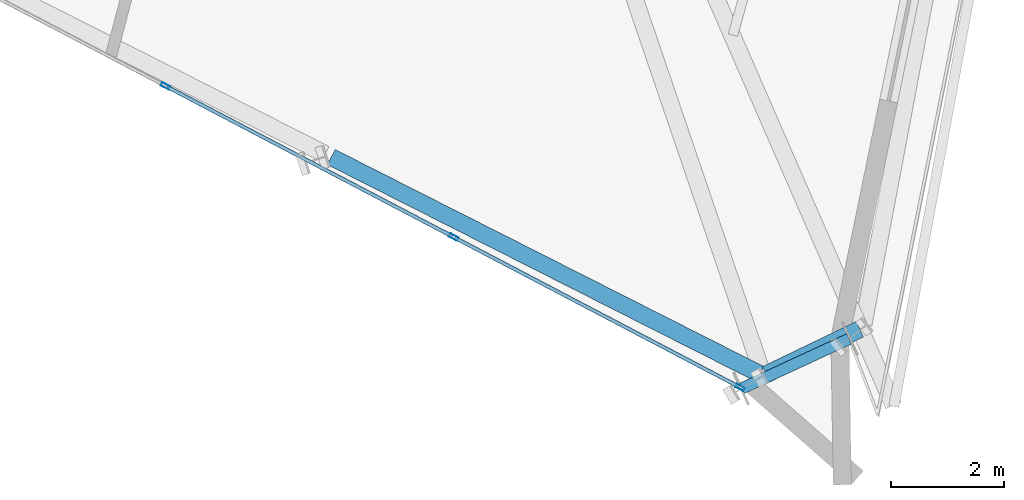
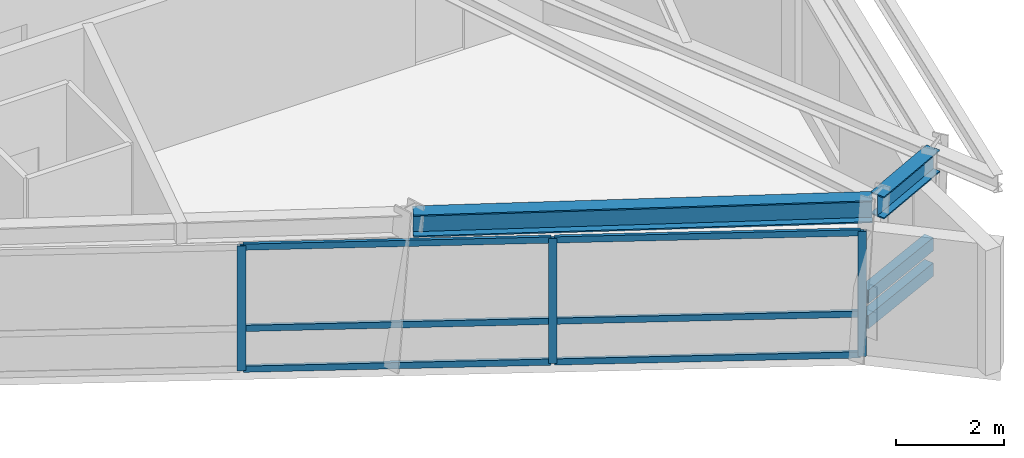
# One storey, part 4 of 14: 11 members, 2 beams, 1 element without a shape of its own.
"""IFC4 building model written with IfcOpenShell, lengths in metres."""

from ifc_helpers import new_model, si_unit, direction, frame, origin, origin_2d, place, context, subcontext, project, spatial, hollow_rectangle, i_section, extrude, source, transform, mapped, material, material_profile, profile_set, type_object, element, aggregate, save


model = new_model("IFC4")

# Units and contexts
model_context = context("Model", 3, precision=1e-05, world=origin(), true_north=direction((0.0, 1.0)))
body_context = subcontext(model_context, "Body", "Model", "MODEL_VIEW")
ifc_project = project(units=[si_unit("LENGTHUNIT", "METRE"), si_unit("AREAUNIT", "SQUARE_METRE"), si_unit("VOLUMEUNIT", "CUBIC_METRE"), si_unit("PLANEANGLEUNIT", "RADIAN"), si_unit("MASSUNIT", "GRAM", prefix="KILO")], contexts=[model_context])

# Site, building, storey
site_placement = place(None, origin())
site = spatial("IfcSite", under=ifc_project, at=site_placement, CompositionType="ELEMENT")
building_placement = place(site_placement, origin())
building = spatial("IfcBuilding", under=site, at=building_placement, Name="Olszyna Solenne Hotel", CompositionType="ELEMENT")
storey_placement = place(building_placement, frame((0.0, 0.0, 274.10009765625)))
storey = spatial("IfcBuildingStorey", under=building, at=storey_placement, Name="L73", CompositionType="ELEMENT", Elevation=274.10009765625)

# Beams
ifc_material_1 = material(Name="Steel S355J2", Category="steel")
ifc_material_profile_1 = material_profile(ifc_material_1, i_section(OverallWidth=0.300048828125, OverallDepth=0.5, WebThickness=0.014404296875, FlangeThickness=0.028076171875, at=origin_2d()), Name="HEB 500", Category="load-bearing")
ifc_profile_set_1 = profile_set([ifc_material_profile_1], Name="Steel S355J2")
beam_type = type_object("IfcBeamType", Name="BM-S3", PredefinedType="BEAM", material=ifc_profile_set_1)
shared_shape_1 = source(origin(), body_context, "Body", "SweptSolid", [
    extrude(i_section(OverallWidth=0.300048828125, OverallDepth=0.5, WebThickness=0.014404296875, FlangeThickness=0.028076171875, at=origin_2d()), origin(), (0.0, 0.0, 1.0), 8.47900390625),
])
beam_1_placement = place(storey_placement, frame((37.7021484375, 8.979248046875, 3.06982421875), z_axis=(0.892233967933, -0.451573412047, 0.0), x_axis=(0.451573412047, 0.892233967933, 0.0)))
element("IfcBeam", 1, at=beam_1_placement, inside=storey, type_object=beam_type, Name="Perimeter spandrel beam BM-S3 B-L73-2147", PredefinedType="BEAM", context=body_context, shape_type="MappedRepresentation", body=[
    mapped(shared_shape_1, transform((0.0, 0.0, 0.0), x_axis=(1.0, 0.0, 0.0), y_axis=(0.0, 1.0, 0.0), z_axis=(0.0, 0.0, 1.0), scale=1.0)),
])
shared_shape_2 = source(origin(), body_context, "Body", "SweptSolid", [
    extrude(i_section(OverallWidth=0.300048828125, OverallDepth=0.5, WebThickness=0.014404296875, FlangeThickness=0.028076171875, at=origin_2d()), origin(), (0.0, 0.0, 1.0), 1.829833984375),
])
beam_2_placement = place(storey_placement, frame((45.375, 5.1494140625, 3.06982421875), z_axis=(0.901024847131, 0.433767477865, 0.0), x_axis=(-0.433767477865, 0.901024847131, 0.0)))
element("IfcBeam", 2, at=beam_2_placement, inside=storey, type_object=beam_type, Name="Perimeter spandrel beam BM-S3 B-L73-2148", PredefinedType="BEAM", context=body_context, shape_type="MappedRepresentation", body=[
    mapped(shared_shape_2, transform((0.0, 0.0, 0.0), x_axis=(1.0, 0.0, 0.0), y_axis=(0.0, 1.0, 0.0), z_axis=(0.0, 0.0, 1.0), scale=1.0)),
])

# Members
ifc_material_profile_2 = material_profile(ifc_material_1, hollow_rectangle(XDim=0.199951171875, YDim=0.300048828125, WallThickness=0.01611328125, at=origin_2d()), Name="RHS 300x200x16", Category="load-bearing")
ifc_profile_set_2 = profile_set([ifc_material_profile_2], Name="Steel S355J2")
member_type_1 = type_object("IfcMemberType", Name="CH-PR1", PredefinedType="CHORD", material=ifc_profile_set_2)
shared_shape_3 = source(origin(), body_context, "Body", "SweptSolid", [
    extrude(hollow_rectangle(XDim=0.199951171875, YDim=0.300048828125, WallThickness=0.01611328125, at=origin_2d()), origin(), (0.0, 0.0, 1.0), 2.081298828125),
])
for number, where, z_axis, x_axis, name in (
    (3, (44.9462890625, 4.900390625, 1.349853515625), (0.907773906636, 0.419459812654, 0.0), (-0.419459812654, 0.907773906636, 0.0), "Glass-prism tie chord CH-PR1 M-L73-PR1"),
    (4, (44.9462890625, 4.900390625, 0.77978515625), (0.907773906636, 0.419459812654, 0.0), (-0.419459812654, 0.907773906636, 0.0), "Glass-prism tie chord CH-PR1 M-L73-PR2"),
):
    element("IfcMember", number, at=place(storey_placement, frame(where, z_axis=z_axis, x_axis=x_axis)), inside=storey, type_object=member_type_1, Name=name, PredefinedType="CHORD", context=body_context, shape_type="MappedRepresentation", body=[
        mapped(shared_shape_3, transform((0.0, 0.0, 0.0), x_axis=(1.0, 0.0, 0.0), y_axis=(0.0, 1.0, 0.0), z_axis=(0.0, 0.0, 1.0), scale=1.0)),
    ])

# Curtain wall, members
ifc_material_2 = material(Name="Anodised bronze aluminium", Category="aluminium")
curtain_wall_type = type_object("IfcCurtainWallType", Name="CW-SYS-4", PredefinedType="NOTDEFINED", material=ifc_material_2)
curtain_wall_placement = place(storey_placement, origin())
curtain_wall = element("IfcCurtainWall", 5, at=curtain_wall_placement, inside=storey, type_object=curtain_wall_type, Name="Unitised curtain wall CW-SYS-4 CW-L73-01", PredefinedType="NOTDEFINED")
ifc_material_profile_3 = material_profile(ifc_material_2, hollow_rectangle(XDim=0.06494140625, YDim=0.159912109375, WallThickness=0.00390625, at=origin_2d()), Name="MULL 160x65x4", Category="load-bearing")
ifc_profile_set_3 = profile_set([ifc_material_profile_3], Name="Anodised bronze aluminium")
member_type_2 = type_object("IfcMemberType", Name="CW-M3", PredefinedType="MULLION", material=ifc_profile_set_3)
shared_shape_4 = source(origin(), body_context, "Body", "SweptSolid", [
    extrude(hollow_rectangle(XDim=0.06494140625, YDim=0.159912109375, WallThickness=0.00390625, at=origin_2d()), origin(), (0.0, 0.0, 1.0), 2.81201171875),
])
member_1_placement = place(storey_placement, frame((34.776611328125, 10.234375, 0.0), z_axis=(0.0, 0.0, 1.0), x_axis=(0.464494136331, 0.885576195092, 0.0)))
member_1 = element("IfcMember", 6, at=member_1_placement, type_object=member_type_2, Name="Curtain-wall mullion CW-M3 CM-L73-01-02", PredefinedType="MULLION", context=body_context, shape_type="MappedRepresentation", body=[
    mapped(shared_shape_4, transform((0.0, 0.0, 0.0), x_axis=(1.0, 0.0, 0.0), y_axis=(0.0, 1.0, 0.0), z_axis=(0.0, 0.0, 1.0), scale=1.0)),
])
member_2_placement = place(storey_placement, frame((39.861328125, 7.5673828125, 0.0), z_axis=(0.0, 0.0, 1.0), x_axis=(0.464494136331, 0.885576195092, 0.0)))
member_2 = element("IfcMember", 7, at=member_2_placement, type_object=member_type_2, Name="Curtain-wall mullion CW-M3 CM-L73-01-03", PredefinedType="MULLION", context=body_context, shape_type="MappedRepresentation", body=[
    mapped(shared_shape_4, transform((0.0, 0.0, 0.0), x_axis=(1.0, 0.0, 0.0), y_axis=(0.0, 1.0, 0.0), z_axis=(0.0, 0.0, 1.0), scale=1.0)),
])
member_3_placement = place(storey_placement, frame((44.91748046875, 4.915283203125, 0.0), z_axis=(0.0, 0.0, 1.0), x_axis=(0.464494136331, 0.885576195092, 0.0)))
member_3 = element("IfcMember", 8, at=member_3_placement, type_object=member_type_2, Name="Curtain-wall mullion CW-M3 CM-L73-01-04", PredefinedType="MULLION", context=body_context, shape_type="MappedRepresentation", body=[
    mapped(shared_shape_4, transform((0.0, 0.0, 0.0), x_axis=(1.0, 0.0, 0.0), y_axis=(0.0, 1.0, 0.0), z_axis=(0.0, 0.0, 1.0), scale=1.0)),
])
ifc_material_profile_4 = material_profile(ifc_material_2, hollow_rectangle(XDim=0.06494140625, YDim=0.139892578125, WallThickness=0.00390625, at=origin_2d()), Name="TRAN 140x65x4", Category="load-bearing")
ifc_profile_set_4 = profile_set([ifc_material_profile_4], Name="Anodised bronze aluminium")
member_type_3 = type_object("IfcMemberType", Name="CW-T2", PredefinedType="USERDEFINED", material=ifc_profile_set_4)
shared_shape_5 = source(origin(), body_context, "Body", "SweptSolid", [
    extrude(hollow_rectangle(XDim=0.06494140625, YDim=0.139892578125, WallThickness=0.00390625, at=origin_2d()), origin(), (0.0, 0.0, 1.0), 5.644287109375),
])
member_4_placement = place(storey_placement, frame((39.89013671875, 7.55224609375, 0.032470703125), z_axis=(0.885573185201, -0.464499874762, 0.0), x_axis=(0.464499874762, 0.885573185201, 0.0)))
member_4 = element("IfcMember", 9, at=member_4_placement, type_object=member_type_3, Name="Curtain-wall transom CW-T2 CT-L73-01-07", ObjectType="TRANSOM", PredefinedType="USERDEFINED", context=body_context, shape_type="MappedRepresentation", body=[
    mapped(shared_shape_5, transform((0.0, 0.0, 0.0), x_axis=(1.0, 0.0, 0.0), y_axis=(0.0, 1.0, 0.0), z_axis=(0.0, 0.0, 1.0), scale=1.0)),
])
member_5_placement = place(storey_placement, frame((39.89013671875, 7.55224609375, 0.949951171875), z_axis=(0.885573185201, -0.464499874762, 0.0), x_axis=(0.464499874762, 0.885573185201, 0.0)))
member_5 = element("IfcMember", 10, at=member_5_placement, type_object=member_type_3, Name="Curtain-wall transom CW-T2 CT-L73-01-08", ObjectType="TRANSOM", PredefinedType="USERDEFINED", context=body_context, shape_type="MappedRepresentation", body=[
    mapped(shared_shape_5, transform((0.0, 0.0, 0.0), x_axis=(1.0, 0.0, 0.0), y_axis=(0.0, 1.0, 0.0), z_axis=(0.0, 0.0, 1.0), scale=1.0)),
])
member_6_placement = place(storey_placement, frame((39.89013671875, 7.55224609375, 2.779296875), z_axis=(0.885573185201, -0.464499874762, 0.0), x_axis=(0.464499874762, 0.885573185201, 0.0)))
member_6 = element("IfcMember", 11, at=member_6_placement, type_object=member_type_3, Name="Curtain-wall transom CW-T2 CT-L73-01-09", ObjectType="TRANSOM", PredefinedType="USERDEFINED", context=body_context, shape_type="MappedRepresentation", body=[
    mapped(shared_shape_5, transform((0.0, 0.0, 0.0), x_axis=(1.0, 0.0, 0.0), y_axis=(0.0, 1.0, 0.0), z_axis=(0.0, 0.0, 1.0), scale=1.0)),
])
shared_shape_6 = source(origin(), body_context, "Body", "SweptSolid", [
    extrude(hollow_rectangle(XDim=0.06494140625, YDim=0.139892578125, WallThickness=0.00390625, at=origin_2d()), origin(), (0.0, 0.0, 1.0), 5.6767578125),
])
member_7_placement = place(storey_placement, frame((34.805419921875, 10.21923828125, 0.032470703125), z_axis=(0.885588986513, -0.464469748171, 0.0), x_axis=(0.464469748171, 0.885588986513, 0.0)))
member_7 = element("IfcMember", 12, at=member_7_placement, type_object=member_type_3, Name="Curtain-wall transom CW-T2 CT-L73-01-04", ObjectType="TRANSOM", PredefinedType="USERDEFINED", context=body_context, shape_type="MappedRepresentation", body=[
    mapped(shared_shape_6, transform((0.0, 0.0, 0.0), x_axis=(1.0, 0.0, 0.0), y_axis=(0.0, 1.0, 0.0), z_axis=(0.0, 0.0, 1.0), scale=1.0)),
])
member_8_placement = place(storey_placement, frame((34.805419921875, 10.21923828125, 0.949951171875), z_axis=(0.885588986513, -0.464469748171, 0.0), x_axis=(0.464469748171, 0.885588986513, 0.0)))
member_8 = element("IfcMember", 13, at=member_8_placement, type_object=member_type_3, Name="Curtain-wall transom CW-T2 CT-L73-01-05", ObjectType="TRANSOM", PredefinedType="USERDEFINED", context=body_context, shape_type="MappedRepresentation", body=[
    mapped(shared_shape_6, transform((0.0, 0.0, 0.0), x_axis=(1.0, 0.0, 0.0), y_axis=(0.0, 1.0, 0.0), z_axis=(0.0, 0.0, 1.0), scale=1.0)),
])
member_9_placement = place(storey_placement, frame((34.805419921875, 10.21923828125, 2.779296875), z_axis=(0.885588986513, -0.464469748171, 0.0), x_axis=(0.464469748171, 0.885588986513, 0.0)))
member_9 = element("IfcMember", 14, at=member_9_placement, type_object=member_type_3, Name="Curtain-wall transom CW-T2 CT-L73-01-06", ObjectType="TRANSOM", PredefinedType="USERDEFINED", context=body_context, shape_type="MappedRepresentation", body=[
    mapped(shared_shape_6, transform((0.0, 0.0, 0.0), x_axis=(1.0, 0.0, 0.0), y_axis=(0.0, 1.0, 0.0), z_axis=(0.0, 0.0, 1.0), scale=1.0)),
])
aggregate(curtain_wall, [member_1, member_2, member_3, member_7, member_8, member_9, member_4, member_5, member_6])

save(model, "model.ifc")
